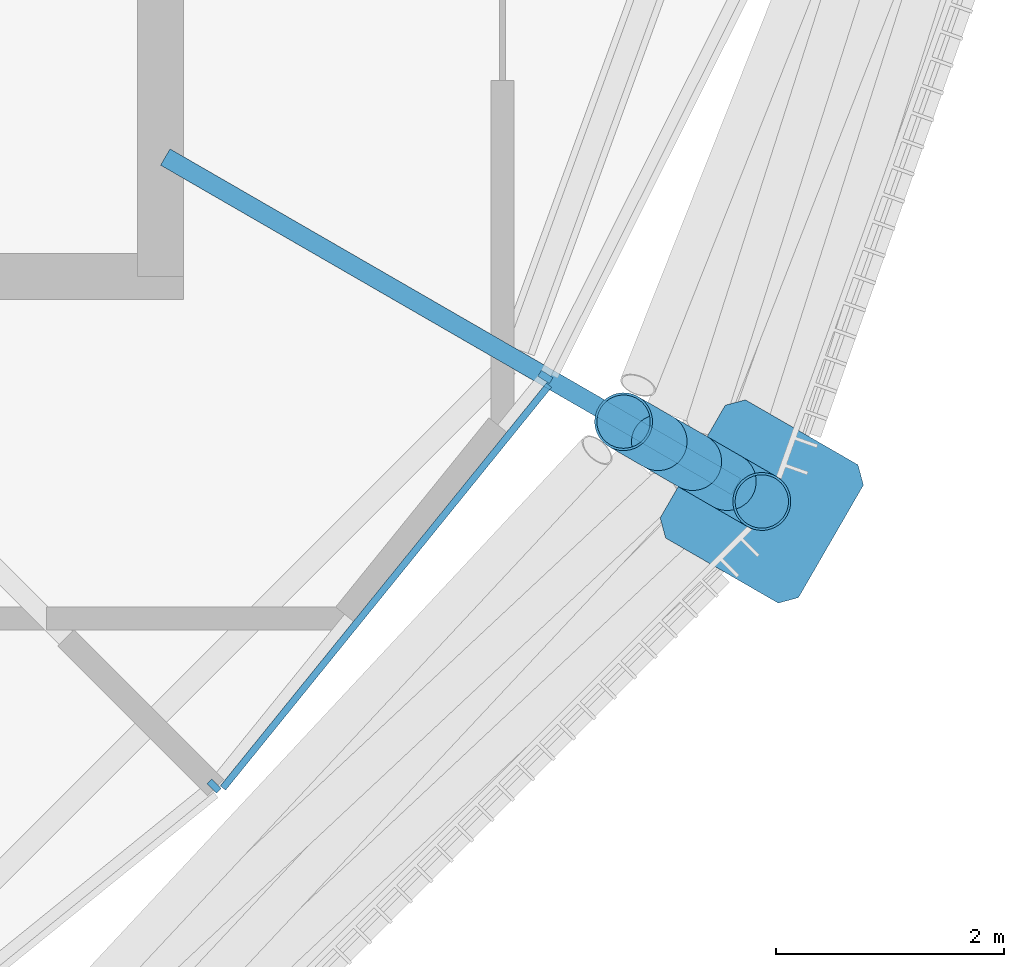
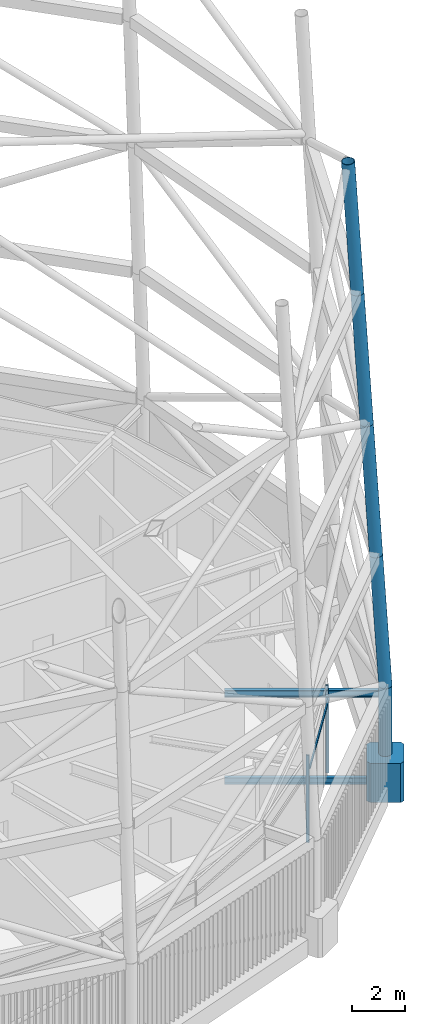
# One storey, part 49 of 71: 9 members, 2 beams, 1 element without a shape of its own.
"""IFC4 building model written with IfcOpenShell, lengths in metres."""

from ifc_helpers import new_model, si_unit, direction, frame, origin, origin_2d, place, context, subcontext, project, spatial, polyline, rectangle, hollow_circle, i_section, outline, extrude, material, material_profile, profile_set, type_object, element, aggregate, save


model = new_model("IFC4")

# Units and contexts
model_context = context("Model", 3, precision=1e-05, world=origin(), true_north=direction((0.0, 1.0)))
body_context = subcontext(model_context, "Body", "Model", "MODEL_VIEW")
ifc_project = project(units=[si_unit("LENGTHUNIT", "METRE"), si_unit("AREAUNIT", "SQUARE_METRE"), si_unit("VOLUMEUNIT", "CUBIC_METRE"), si_unit("PLANEANGLEUNIT", "RADIAN"), si_unit("MASSUNIT", "GRAM", prefix="KILO")], contexts=[model_context])

# Site, building, storey
site_placement = place(None, origin())
site = spatial("IfcSite", under=ifc_project, at=site_placement, CompositionType="ELEMENT")
building_placement = place(site_placement, origin())
building = spatial("IfcBuilding", under=site, at=building_placement, Name="Rimbun Link Towers", CompositionType="ELEMENT")
storey_placement = place(building_placement, frame((0.0, 0.0, 267.60009765625)))
storey = spatial("IfcBuildingStorey", under=building, at=storey_placement, Name="L65", CompositionType="ELEMENT", Elevation=267.60009765625)

# Curtain wall, members
ifc_material_1 = material(Name="Aluminium 6063-T6 louvre wall", Category="aluminium")
curtain_wall_type = type_object("IfcCurtainWallType", Name="CW6 plant floor louvre wall", PredefinedType="NOTDEFINED", material=ifc_material_1)
curtain_wall_placement = place(storey_placement, origin())
curtain_wall = element("IfcCurtainWall", 1, at=curtain_wall_placement, inside=storey, type_object=curtain_wall_type, Name="CW6 L65 T2", PredefinedType="NOTDEFINED")
ifc_material_2 = material(Name="Aluminium 6063-T6", Category="aluminium")
ifc_material_profile_1 = material_profile(ifc_material_2, rectangle(XDim=0.1201171875, YDim=0.06005859375, at=origin_2d()), Name="MULLION 60X120")
ifc_profile_set_1 = profile_set([ifc_material_profile_1], Name="Aluminium 6063-T6")
member_type_1 = type_object("IfcMemberType", Name="CW6 mullion 60X120", PredefinedType="MULLION", material=ifc_profile_set_1)
member_1_placement = place(storey_placement, frame((44.219970703125, -12.469970703125, 0.0), z_axis=(0.0, 0.0, 1.0), x_axis=(0.707106781187, -0.707106781187, 0.0)))
member_1 = element("IfcMember", 2, at=member_1_placement, type_object=member_type_1, Name="CW6 mullion", PredefinedType="MULLION", context=body_context, shape_type="SweptSolid", body=[
    extrude(rectangle(XDim=0.1201171875, YDim=0.06005859375, at=origin_2d()), origin(), (0.0, 0.0, 1.0), 4.0),
])
member_2_placement = place(storey_placement, frame((47.125732421875, -8.880615234375, 0.0), z_axis=(0.0, 0.0, 1.0), x_axis=(0.840313328335, -0.542101014777, 0.0)))
member_2 = element("IfcMember", 3, at=member_2_placement, type_object=member_type_1, Name="CW6 mullion", PredefinedType="MULLION", context=body_context, shape_type="SweptSolid", body=[
    extrude(rectangle(XDim=0.1201171875, YDim=0.06005859375, at=origin_2d()), origin(), (0.0, 0.0, 1.0), 4.0),
])
ifc_material_3 = material(Name="Aluminium 6063-T6", Category="aluminium")
ifc_material_profile_2 = material_profile(ifc_material_3, rectangle(XDim=0.06005859375, YDim=0.1201171875, at=origin_2d()), Name="TRANSOM 60X120")
ifc_profile_set_2 = profile_set([ifc_material_profile_2], Name="Aluminium 6063-T6")
member_type_2 = type_object("IfcMemberType", Name="CW6 transom 60X120", PredefinedType="USERDEFINED", material=ifc_profile_set_2)
member_3_placement = place(storey_placement, frame((47.157470703125, -8.953125, 3.39990234375), z_axis=(-0.629178141776, -0.777261131095, 0.0), x_axis=(0.777261131095, -0.629178141776, 0.0)))
member_3 = element("IfcMember", 4, at=member_3_placement, type_object=member_type_2, Name="CW6 transom", ObjectType="TRANSOM", PredefinedType="USERDEFINED", context=body_context, shape_type="SweptSolid", body=[
    extrude(rectangle(XDim=0.06005859375, YDim=0.1201171875, at=origin_2d()), origin(), (0.0, 0.0, 1.0), 4.54541015625),
])
aggregate(curtain_wall, [member_1, member_2, member_3])

# Members
ifc_material_4 = material(Name="Steel S355J2H", Category="steel")
ifc_material_profile_3 = material_profile(ifc_material_4, hollow_circle(Radius=0.25390625, WallThickness=0.02001953125, at=origin_2d()), Name="Crown frame post CHS 508x20")
ifc_profile_set_3 = profile_set([ifc_material_profile_3], Name="Steel S355J2H")
member_type_3 = type_object("IfcMemberType", Name="Crown frame post CHS 508x20", PredefinedType="POST", material=ifc_profile_set_3)
member_4_placement = place(storey_placement, frame((49.023681640625, -9.972900390625, 0.0), z_axis=(0.0, 0.0, 1.0), x_axis=(1.0, 0.0, 0.0)))
element("IfcMember", 5, at=member_4_placement, inside=storey, type_object=member_type_3, Name="CROWN FRAME post T2 1-09", PredefinedType="POST", context=body_context, shape_type="SweptSolid", body=[
    extrude(hollow_circle(Radius=0.25390625, WallThickness=0.02001953125, at=origin_2d()), origin(), (0.0, 0.0, 1.0), 4.0),
])
for number, where, z_axis, x_axis, name in (
    (6, (49.023681640625, -9.972900390625, 4.0), (-0.050410826675, 0.029084731587, 0.99830497692), (-0.499742594395, -0.866173965983, 0.0), "CROWN FRAME post T2 2-09"),
    (7, (48.720703125, -9.798095703125, 10.0), (-0.050451284808, 0.029125258621, 0.998301751562), (-0.49996389635, -0.866046247233, 0.0), "CROWN FRAME post T2 3-09"),
    (8, (48.41748046875, -9.623046875, 16.0), (-0.050410767075, 0.029125318286, 0.998303796646), (-0.500265973451, -0.865871789474, 0.0), "CROWN FRAME post T2 4-09"),
    (9, (48.114501953125, -9.447998046875, 22.0), (-0.050451284808, 0.029125258621, 0.998301751562), (-0.49996389635, -0.866046247233, 0.0), "CROWN FRAME post T2 5-09"),
):
    element("IfcMember", number, at=place(storey_placement, frame(where, z_axis=z_axis, x_axis=x_axis)), inside=storey, type_object=member_type_3, Name=name, PredefinedType="POST", context=body_context, shape_type="SweptSolid", body=[
        extrude(hollow_circle(Radius=0.25390625, WallThickness=0.02001953125, at=origin_2d()), origin(), (0.0, 0.0, 1.0), 6.01025390625),
    ])
ifc_material_5 = material(Name="Cast steel G20Mn5+QT, Rp0.2 300 MPa", Category="steel")
ifc_material_profile_4 = material_profile(ifc_material_5, outline(polyline([(0.699951171875, -0.570068359375), (0.699951171875, 0.570068359375), (0.570068359375, 0.699951171875), (-0.570068359375, 0.699951171875), (-0.699951171875, 0.570068359375), (-0.699951171875, -0.570068359375), (-0.570068359375, -0.699951171875), (0.570068359375, -0.699951171875), (0.699951171875, -0.570068359375)])), Name="NODE 1400x1400")
ifc_profile_set_4 = profile_set([ifc_material_profile_4], Name="Cast steel G20Mn5+QT, Rp0.2 300 MPa")
member_type_4 = type_object("IfcMemberType", Name="Diagrid node cast 1400", PredefinedType="USERDEFINED", material=ifc_profile_set_4)
member_5_placement = place(storey_placement, frame((49.023681640625, -9.972900390625, -0.900146484375), z_axis=(0.0, 0.0, 1.0), x_axis=(0.866025403784, -0.5, 0.0)))
element("IfcMember", 10, at=member_5_placement, inside=storey, type_object=member_type_4, Name="Diagrid node L65 19", ObjectType="Diagrid node", PredefinedType="USERDEFINED", context=body_context, shape_type="SweptSolid", body=[
    extrude(outline(polyline([(0.699951171875, -0.570068359375), (0.699951171875, 0.570068359375), (0.570068359375, 0.699951171875), (-0.570068359375, 0.699951171875), (-0.699951171875, 0.570068359375), (-0.699951171875, -0.570068359375), (-0.570068359375, -0.699951171875), (0.570068359375, -0.699951171875), (0.699951171875, -0.570068359375)])), origin(), (0.0, 0.0, 1.0), 1.800048828125),
])

# Beams
ifc_material_6 = material(Name="Steel S355J2", Category="steel")
ifc_material_profile_5 = material_profile(ifc_material_6, i_section(OverallWidth=0.1650390625, OverallDepth=0.303466796875, WebThickness=0.006103515625, FlangeThickness=0.01025390625, at=origin_2d()), Name="UB 305x165x40")
ifc_profile_set_5 = profile_set([ifc_material_profile_5], Name="Steel S355J2")
beam_type = type_object("IfcBeamType", Name="UB 305x165x40", PredefinedType="BEAM", material=ifc_profile_set_5)
beam_1_placement = place(storey_placement, frame((43.7919921875, -6.952392578125, -0.351806640625), z_axis=(0.866032975699, -0.499986884831, 0.0), x_axis=(0.499986884831, 0.866032975699, 0.0)))
element("IfcBeam", 11, at=beam_1_placement, inside=storey, type_object=beam_type, Name="Radial beam T2 L65 19", PredefinedType="BEAM", context=body_context, shape_type="SweptSolid", body=[
    extrude(i_section(OverallWidth=0.1650390625, OverallDepth=0.303466796875, WebThickness=0.006103515625, FlangeThickness=0.01025390625, at=origin_2d()), origin(), (0.0, 0.0, 1.0), 5.541259765625),
])
beam_2_placement = place(storey_placement, frame((43.7919921875, -6.952392578125, 3.648193359375), z_axis=(0.866020319596, -0.500008805969, 0.0), x_axis=(0.500008805969, 0.866020319596, 0.0)))
element("IfcBeam", 12, at=beam_2_placement, inside=storey, type_object=beam_type, Name="Radial beam T2 L65 19", PredefinedType="BEAM", context=body_context, shape_type="SweptSolid", body=[
    extrude(i_section(OverallWidth=0.1650390625, OverallDepth=0.303466796875, WebThickness=0.006103515625, FlangeThickness=0.01025390625, at=origin_2d()), origin(), (0.0, 0.0, 1.0), 5.78125),
])

save(model, "model.ifc")
